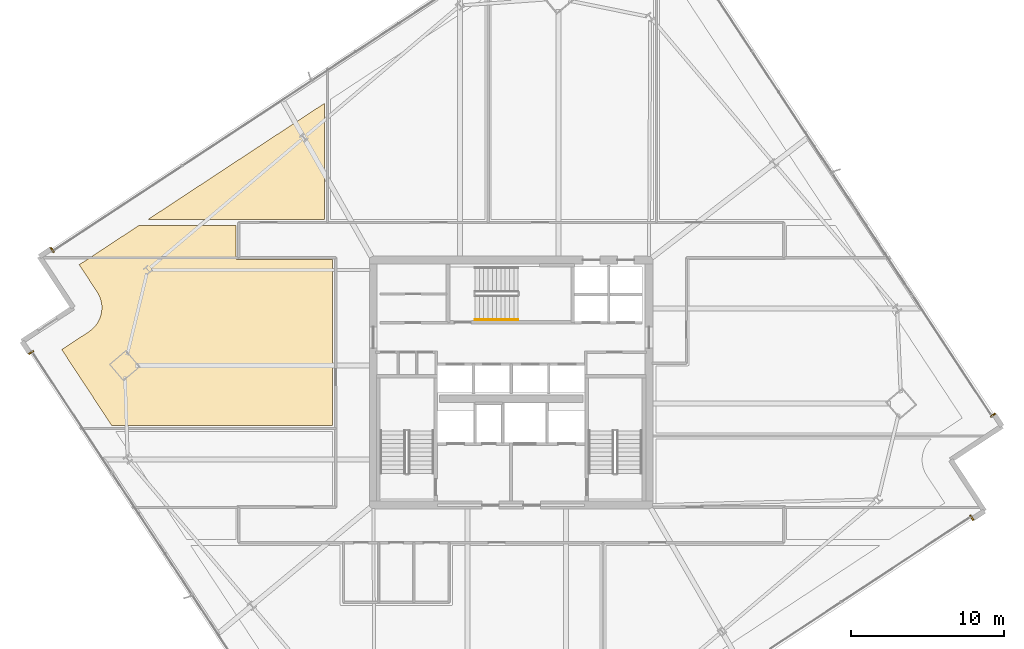
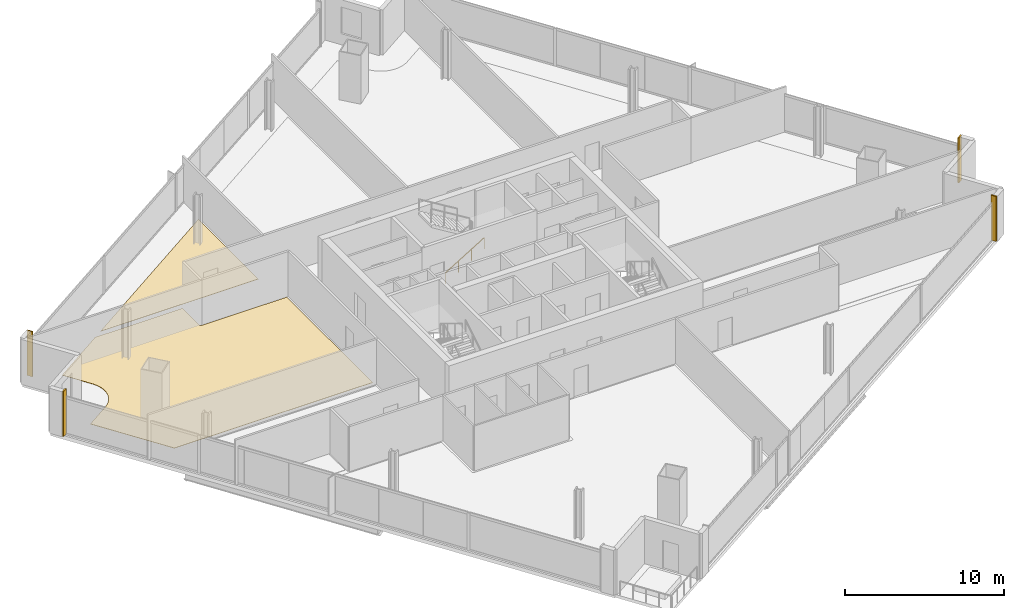
# One storey, part 27 of 29: 6 coverings, 1 railing.
"""IFC4 building model written with IfcOpenShell, lengths in metres."""

import ifcopenshell
import ifcopenshell.guid

model = None  # the IFC model being written
_history = None  # IfcOwnerHistory: only IFC2X3 demands one
_inside = {}  # id of a spatial element -> (the spatial element, [elements in it])
_under = {}  # id of a project, library or spatial element -> (it, [spatial elements below it])
_declared = {}  # id of a project -> (the project, [libraries it declares])
_typed = {}  # id of a type object -> (the type object, [elements of that type])
_made_of = {}  # id of a material, layer set ... -> (it, [elements and type objects made of it])


def new_model(schema):
    """Start an empty IFC model of exactly this schema.

    Asked for "IFC4X3", IfcOpenShell would pick the latest addendum, in which some entities
    have other attributes; the version numbers below select the first issue.
    IFC2X3 requires an IfcOwnerHistory on every rooted entity: one is made here for all.
    """
    global model, _history
    if schema == "IFC4X3":
        model = ifcopenshell.file(schema_version=(4, 3, 0, 0))
    else:
        model = ifcopenshell.file(schema=schema)
    _inside.clear()
    _under.clear()
    _declared.clear()
    _typed.clear()
    _made_of.clear()
    _history = None
    if model.schema == "IFC2X3":
        org = make("IfcOrganization", Name="unknown")
        user = make(
            "IfcPersonAndOrganization",
            ThePerson=make("IfcPerson", FamilyName="unknown"),
            TheOrganization=org,
        )
        app = make(
            "IfcApplication",
            ApplicationDeveloper=org,
            Version="unknown",
            ApplicationFullName="unknown",
            ApplicationIdentifier="unknown",
        )
        _history = make(
            "IfcOwnerHistory",
            OwningUser=user,
            OwningApplication=app,
            ChangeAction="ADDED",
            CreationDate=0,
        )
    return model


def make(cls, **values):
    """One entity of the class cls with the attributes given. An attribute that is None is left unset."""
    return model.create_entity(
        cls, **{name: value for name, value in values.items() if value is not None}
    )


def rooted(cls, **values):
    """An entity with a GlobalId (a new one), such as an element, a storey or a relation."""
    return make(cls, GlobalId=ifcopenshell.guid.new(), OwnerHistory=_history, **values)


def si_unit(unit_type, name, prefix=None):
    """IfcSIUnit, for example si_unit("LENGTHUNIT", "METRE", prefix="MILLI")."""
    return make("IfcSIUnit", UnitType=unit_type, Prefix=prefix, Name=name)


def assignment(units):
    """IfcUnitAssignment: the units of a project."""
    return None if units is None else make("IfcUnitAssignment", Units=units)


def point(xyz):
    """IfcCartesianPoint."""
    return None if xyz is None else make("IfcCartesianPoint", Coordinates=xyz)


def direction(xyz):
    """IfcDirection."""
    return None if xyz is None else make("IfcDirection", DirectionRatios=xyz)


def frame(location, z_axis=None, x_axis=None):
    """IfcAxis2Placement3D, a coordinate frame: its origin and axes. An axis left out is left unset."""
    return make(
        "IfcAxis2Placement3D",
        Location=point(location),
        Axis=direction(z_axis),
        RefDirection=direction(x_axis),
    )


def frame_2d(location, x_axis=None):
    """IfcAxis2Placement2D, a coordinate frame in the plane: its origin and x axis."""
    return make(
        "IfcAxis2Placement2D", Location=point(location), RefDirection=direction(x_axis)
    )


def origin():
    """The frame at (0, 0, 0) with its axes left unset."""
    return frame((0.0, 0.0, 0.0))


def origin_2d():
    """The frame at (0, 0) in the plane with its x axis left unset."""
    return frame_2d((0.0, 0.0))


def place(relative_to, where):
    """IfcLocalPlacement: puts the frame where relative to a parent placement (None: the world)."""
    return make(
        "IfcLocalPlacement", PlacementRelTo=relative_to, RelativePlacement=where
    )


def context(
    kind, dimensions, precision=None, world=None, true_north=None, identifier=None
):
    """IfcGeometricRepresentationContext, for example the 3D "Model" context."""
    return make(
        "IfcGeometricRepresentationContext",
        ContextIdentifier=identifier,
        ContextType=kind,
        CoordinateSpaceDimension=dimensions,
        Precision=precision,
        WorldCoordinateSystem=world,
        TrueNorth=true_north,
    )


def subcontext(parent, identifier, kind, view, scale=None):
    """IfcGeometricRepresentationSubContext, for example "Body" below "Model"."""
    return make(
        "IfcGeometricRepresentationSubContext",
        ContextIdentifier=identifier,
        ContextType=kind,
        ParentContext=parent,
        TargetScale=scale,
        TargetView=view,
    )


def project(units=None, contexts=None):
    """IfcProject with its units and contexts."""
    return rooted(
        "IfcProject",
        Name="project",
        RepresentationContexts=contexts,
        UnitsInContext=assignment(units),
    )


def spatial(cls, under=None, at=None, **own):
    """A site, building, storey or space (cls), placed at a placement, below another one or the project."""
    s = rooted(cls, ObjectPlacement=at, **own)
    if under is not None:
        _under.setdefault(under.id(), (under, []))[1].append(s)
    return s


def polyline(points):
    """IfcPolyline through the points."""
    return make("IfcPolyline", Points=[point(p) for p in points])


def profile(cls, at=None, kind="AREA", **sizes):
    """A parametric profile (cls). Its sizes go by their IFC names, for example OverallWidth=200.0."""
    return make(cls, ProfileType=kind, Position=at, **sizes)


def rectangle(**sizes):
    """IfcRectangleProfileDef."""
    return profile("IfcRectangleProfileDef", **sizes)


def outline(outer, holes=None, kind="AREA"):
    """IfcArbitraryClosedProfileDef: a profile drawn as a closed curve; with holes, ...WithVoids."""
    if holes is None:
        return make("IfcArbitraryClosedProfileDef", ProfileType=kind, OuterCurve=outer)
    return make(
        "IfcArbitraryProfileDefWithVoids",
        ProfileType=kind,
        OuterCurve=outer,
        InnerCurves=holes,
    )


def extrude(swept, where, along, depth):
    """IfcExtrudedAreaSolid: the profile swept, set in the frame where, extruded along a direction by depth."""
    return make(
        "IfcExtrudedAreaSolid",
        SweptArea=swept,
        Position=where,
        ExtrudedDirection=direction(along),
        Depth=depth,
    )


def shape(context_of_items, identifier, shape_type, items):
    """IfcShapeRepresentation: the items that make up one representation, for example the "Body"."""
    return make(
        "IfcShapeRepresentation",
        ContextOfItems=context_of_items,
        RepresentationIdentifier=identifier,
        RepresentationType=shape_type,
        Items=items,
    )


def source(mapping_origin, context_of_items, identifier, shape_type, items):
    """IfcRepresentationMap: a shape defined once, which mapped items show again and again."""
    return make(
        "IfcRepresentationMap",
        MappingOrigin=mapping_origin,
        MappedRepresentation=shape(context_of_items, identifier, shape_type, items),
    )


def transform(
    local_origin,
    x_axis=None,
    y_axis=None,
    z_axis=None,
    scale=None,
    scale2=None,
    scale3=None,
    uniform=True,
):
    """IfcCartesianTransformationOperator3D, or its non-uniform kind. x_axis, y_axis, z_axis: its Axis1, 2, 3."""
    if uniform:
        return make(
            "IfcCartesianTransformationOperator3D",
            Axis1=direction(x_axis),
            Axis2=direction(y_axis),
            LocalOrigin=point(local_origin),
            Scale=scale,
            Axis3=direction(z_axis),
        )
    return make(
        "IfcCartesianTransformationOperator3DnonUniform",
        Axis1=direction(x_axis),
        Axis2=direction(y_axis),
        LocalOrigin=point(local_origin),
        Scale=scale,
        Axis3=direction(z_axis),
        Scale2=scale2,
        Scale3=scale3,
    )


def mapped(mapping_source, mapping_target):
    """IfcMappedItem: shows the shape of a source again, moved by a transform."""
    return make(
        "IfcMappedItem", MappingSource=mapping_source, MappingTarget=mapping_target
    )


def material(Name=None, Category=None):
    """IfcMaterial."""
    return make("IfcMaterial", Name=Name, Category=Category)


def layer(
    of_material, thickness, ventilated=None, Name=None, Category=None, Priority=None
):
    """IfcMaterialLayer: one layer of a wall or slab, of a material (None: an air gap)."""
    return make(
        "IfcMaterialLayer",
        Material=of_material,
        LayerThickness=thickness,
        IsVentilated=ventilated,
        Name=Name,
        Category=Category,
        Priority=Priority,
    )


def layer_set(layers, Name=None):
    """IfcMaterialLayerSet."""
    return make("IfcMaterialLayerSet", MaterialLayers=layers, LayerSetName=Name)


def made_of(thing, what):
    """Note that an element or type object is made of a material, layer set ...; save() writes the relation."""
    if what is not None:
        _made_of.setdefault(what.id(), (what, []))[1].append(thing)
    return thing


def type_object(cls, material=None, **own):
    """A type object (cls), such as IfcWallType, which elements share."""
    return made_of(rooted(cls, **own), material)


def element(
    cls,
    number,
    at=None,
    inside=None,
    cuts=None,
    type_object=None,
    material=None,
    context=None,
    identifier="Body",
    shape_type=None,
    held_by="IfcProductDefinitionShape",
    body=None,
    shapes=None,
    **own,
):
    """One element of the class cls, such as IfcWall. Its Tag is "e" and its number.

    at: its placement. inside: the storey or other place that contains it. cuts: it is an
    opening in that element (IfcRelVoidsElement). A single representation is given by context,
    identifier, shape_type and body (its items); several are given by shapes. held_by: the class
    of the entity that holds the representations. save() writes the other relations.
    """
    e = rooted(cls, Tag="e%d" % number, ObjectPlacement=at, **own)
    if body is not None:
        shapes = [shape(context, identifier, shape_type, body)]
    if shapes is not None:
        e.Representation = make(held_by, Representations=shapes)
    if inside is not None:
        _inside.setdefault(inside.id(), (inside, []))[1].append(e)
    if cuts is not None:
        rooted(
            "IfcRelVoidsElement", RelatingBuildingElement=cuts, RelatedOpeningElement=e
        )
    if type_object is not None:
        _typed.setdefault(type_object.id(), (type_object, []))[1].append(e)
    return made_of(e, material)


def aggregate(whole, parts):
    """IfcRelAggregates: a whole, such as a stair, and the parts it consists of."""
    return rooted("IfcRelAggregates", RelatingObject=whole, RelatedObjects=parts)


def save(model, path):
    """Write the relations noted so far, then the file.

    IfcRelAggregates (storeys below a building ...), IfcRelContainedInSpatialStructure (elements
    in a storey), IfcRelDefinesByType, IfcRelAssociatesMaterial and IfcRelDeclares: one each for
    every whole, place, type object, material and project.
    """
    for whole, parts in _under.values():
        aggregate(whole, parts)
    for where, things in _inside.values():
        rooted(
            "IfcRelContainedInSpatialStructure",
            RelatedElements=things,
            RelatingStructure=where,
        )
    for kind, things in _typed.values():
        rooted("IfcRelDefinesByType", RelatedObjects=things, RelatingType=kind)
    for what, things in _made_of.values():
        rooted("IfcRelAssociatesMaterial", RelatedObjects=things, RelatingMaterial=what)
    for by, libraries in _declared.values():
        rooted("IfcRelDeclares", RelatingContext=by, RelatedDefinitions=libraries)
    model.write(path)


model = new_model("IFC4")

# Units and contexts
model_context = context("Model", 3, precision=1e-05, world=origin(), true_north=direction((0.0, 1.0)))
body_context = subcontext(model_context, "Body", "Model", "MODEL_VIEW")
ifc_project = project(units=[si_unit("LENGTHUNIT", "METRE"), si_unit("AREAUNIT", "SQUARE_METRE"), si_unit("VOLUMEUNIT", "CUBIC_METRE"), si_unit("PLANEANGLEUNIT", "RADIAN"), si_unit("MASSUNIT", "GRAM", prefix="KILO")], contexts=[model_context])

# Site, building, storey
site_placement = place(None, origin())
site = spatial("IfcSite", under=ifc_project, at=site_placement, CompositionType="ELEMENT")
building_placement = place(site_placement, origin())
building = spatial("IfcBuilding", under=site, at=building_placement, Name="Haldenkirk Collegiate Tower", CompositionType="ELEMENT")
storey_placement = place(building_placement, frame((0.0, 0.0, 140.699951171875)))
storey = spatial("IfcBuildingStorey", under=building, at=storey_placement, Name="L34", CompositionType="ELEMENT", Elevation=140.699951171875)

# Coverings
ifc_material_1 = material(Name="Polished collegiate terrazzo", Category="concrete")
ifc_layer_1 = layer(ifc_material_1, 0.02490234375)
ifc_layer_set_1 = layer_set([ifc_layer_1], Name="Polished collegiate terrazzo")
covering_type_1 = type_object("IfcCoveringType", Name="COV-FLOOR-TERRAZZO", PredefinedType="FLOORING", material=ifc_layer_set_1)
covering_1_placement = place(storey_placement, origin())
element("IfcCovering", 1, at=covering_1_placement, inside=storey, type_object=covering_type_1, Name="L34 academic room finish 08", PredefinedType="FLOORING", context=body_context, shape_type="SweptSolid", body=[
    extrude(outline(polyline([(8.43408203125, 29.32275390625), (8.43896484375, 29.326171875), (8.577392578125, 29.427490234375), (8.586669921875, 29.434814453125), (8.71484375, 29.54931640625), (8.72314453125, 29.5576171875), (8.83935546875, 29.68408203125), (8.846923828125, 29.693115234375), (8.9501953125, 29.830078125), (8.956787109375, 29.840087890625), (9.046142578125, 29.98681640625), (9.0517578125, 29.9970703125), (9.126220703125, 30.151611328125), (9.130859375, 30.16259765625), (9.189697265625, 30.323974609375), (9.193359375, 30.335205078125), (9.236083984375, 30.50146484375), (9.238525390625, 30.512939453125), (9.264892578125, 30.6826171875), (9.26611328125, 30.6943359375), (9.27587890625, 30.86572265625), (9.27587890625, 30.877685546875), (9.2685546875, 31.04931640625), (9.267578125, 31.06103515625), (9.243408203125, 31.23095703125), (9.2412109375, 31.242431640625), (9.20068359375, 31.409423828125), (9.197509765625, 31.4208984375), (9.140625, 31.5830078125), (9.13623046875, 31.59375), (9.06396484375, 31.74951171875), (9.058349609375, 31.760009765625), (8.97119140625, 31.907958984375), (8.968017578125, 31.912841796875), (7.797119140625, 33.69189453125), (11.68359375, 36.25), (18.030029296875, 36.25), (18.030029296875, 34.14990234375), (18.030517578125, 34.13818359375), (18.0322265625, 34.126708984375), (18.03515625, 34.115234375), (18.0390625, 34.10400390625), (18.044189453125, 34.093505859375), (18.05029296875, 34.083251953125), (18.05712890625, 34.073974609375), (18.065185546875, 34.065185546875), (18.073974609375, 34.05712890625), (18.083251953125, 34.05029296875), (18.093505859375, 34.044189453125), (18.10400390625, 34.0390625), (18.115234375, 34.03515625), (18.126708984375, 34.0322265625), (18.13818359375, 34.030517578125), (18.14990234375, 34.030029296875), (24.35009765625, 34.030029296875), (24.35009765625, 23.199951171875), (9.91357421875, 23.199951171875), (6.65478515625, 28.151611328125), (8.43408203125, 29.32275390625)])), origin(), (0.0, 0.0, 1.0), 0.025146484375),
])
ifc_material_2 = material(Name="Engineered collegiate oak acoustic flooring", Category="wood")
ifc_layer_2 = layer(ifc_material_2, 0.02197265625)
ifc_layer_set_2 = layer_set([ifc_layer_2], Name="Engineered collegiate oak acoustic flooring")
covering_type_2 = type_object("IfcCoveringType", Name="COV-FLOOR-TIMBER", PredefinedType="FLOORING", material=ifc_layer_set_2)
covering_2_placement = place(storey_placement, origin())
element("IfcCovering", 2, at=covering_2_placement, inside=storey, type_object=covering_type_2, Name="L34 academic room finish 03", PredefinedType="FLOORING", context=body_context, shape_type="SweptSolid", body=[
    extrude(outline(polyline([(23.800048828125, 44.22412109375), (23.800048828125, 36.64990234375), (12.29150390625, 36.64990234375), (23.800048828125, 44.22412109375)])), origin(), (0.0, 0.0, 1.0), 0.02197265625),
])

# Railing
ifc_material_3 = material(Name="Painted architectural tubular steel", Category="steel")
railing_type = type_object("IfcRailingType", Name="RLG-STAIR-HANDRAIL-900", PredefinedType="HANDRAIL", material=ifc_material_3)
railing_placement = place(storey_placement, frame((33.64990234375, 30.10009765625, 0.17041015625)))
element("IfcRailing", 3, at=railing_placement, inside=storey, type_object=railing_type, Name="L34 ST-3 stair handrail 1", PredefinedType="HANDRAIL", context=body_context, shape_type="SweptSolid", body=[
    extrude(rectangle(XDim=0.048095703125, YDim=0.048095703125, at=origin_2d()), frame((0.0, 0.0, 0.8759765625), z_axis=(0.854169791009, 0.0, 0.51999420009), x_axis=(0.0, 1.0, 0.0)), (0.0, 0.0, 1.0), 3.278076171875),
    extrude(rectangle(XDim=0.0419921875, YDim=0.0419921875, at=origin_2d()), origin(), (0.0, 0.0, 1.0), 0.851806640625),
    extrude(rectangle(XDim=0.0419921875, YDim=0.0419921875, at=origin_2d()), frame((0.933349609375, 0.0, 0.568115234375)), (0.0, 0.0, 1.0), 0.851806640625),
    extrude(rectangle(XDim=0.0419921875, YDim=0.0419921875, at=origin_2d()), frame((1.86669921875, 0.0, 1.136474609375)), (0.0, 0.0, 1.0), 0.851806640625),
    extrude(rectangle(XDim=0.0419921875, YDim=0.0419921875, at=origin_2d()), frame((2.800048828125, 0.0, 1.70458984375)), (0.0, 0.0, 1.0), 0.851806640625),
])

# Coverings
ifc_material_4 = material(Name="Anodised architectural bronze aluminium", Category="aluminium")
ifc_layer_3 = layer(ifc_material_4, 0.06005859375)
ifc_layer_set_3 = layer_set([ifc_layer_3], Name="Anodised architectural bronze aluminium")
covering_type_3 = type_object("IfcCoveringType", Name="COV-CLAD-BRONZE-60", PredefinedType="CLADDING", material=ifc_layer_set_3)
shared_shape = source(origin(), body_context, "Body", "SweptSolid", [
    extrude(rectangle(XDim=0.10009765625, YDim=0.3798828125, at=origin_2d()), origin(), (0.0, 0.0, 1.0), 3.4599609375),
])
for number, where, z_axis, x_axis, name in (
    (4, (66.07666015625, 17.1708984375, 0.0), (0.0, 0.0, 1.0), (-0.835327930385, -0.549751988372, 0.0), "L34 recessed curtain-wall bronze jamb closure SJL"),
    (5, (67.458740234375, 23.87451171875, 0.0), (0.0, 0.0, 1.0), (0.549751988372, -0.835327930385, 0.0), "L34 recessed curtain-wall bronze jamb closure EJR"),
    (6, (6.033203125, 34.662109375, 0.0), (0.0, 0.0, 1.0), (0.835327930385, 0.549751988372, 0.0), "L34 recessed curtain-wall bronze jamb closure NJL"),
    (7, (4.651123046875, 27.958251953125, 0.0), (0.0, 0.0, 1.0), (-0.549751988372, 0.835327930385, 0.0), "L34 recessed curtain-wall bronze jamb closure WJR"),
):
    element("IfcCovering", number, at=place(storey_placement, frame(where, z_axis=z_axis, x_axis=x_axis)), inside=storey, type_object=covering_type_3, Name=name, PredefinedType="CLADDING", context=body_context, shape_type="MappedRepresentation", body=[
        mapped(shared_shape, transform((0.0, 0.0, 0.0), x_axis=(1.0, 0.0, 0.0), y_axis=(0.0, 1.0, 0.0), z_axis=(0.0, 0.0, 1.0), scale=1.0)),
    ])

save(model, "model.ifc")
